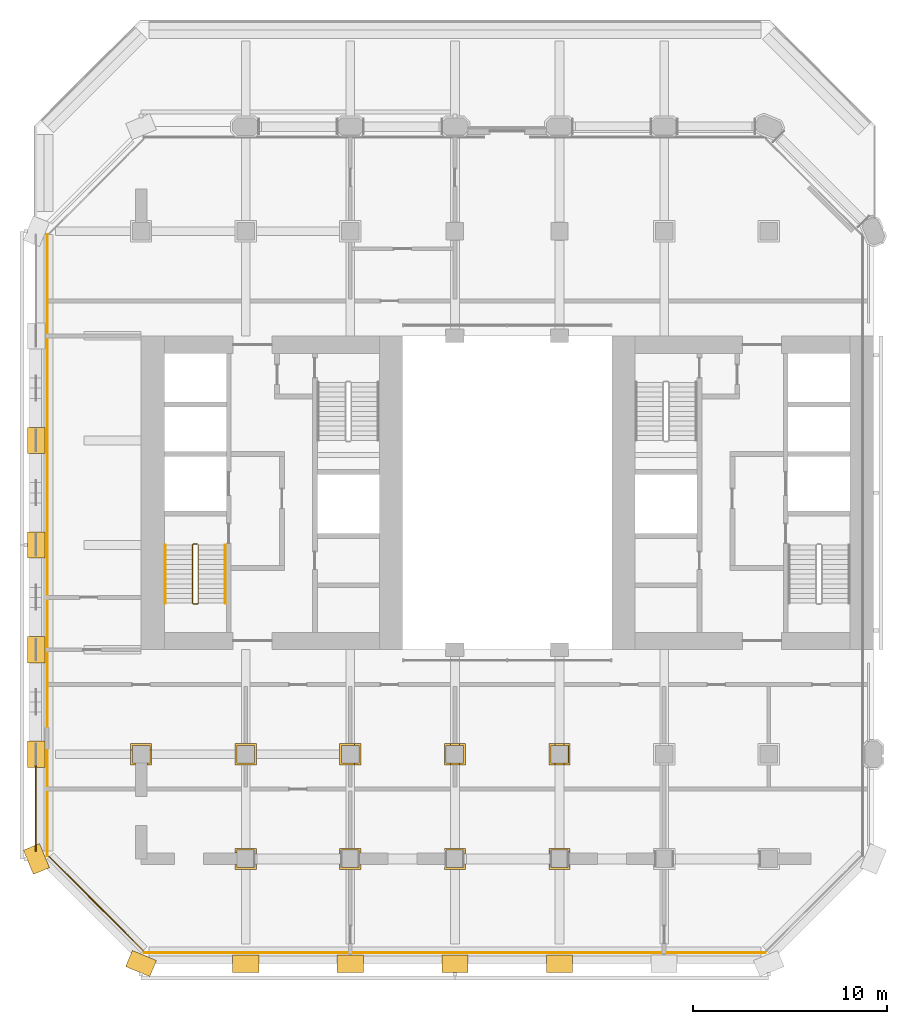
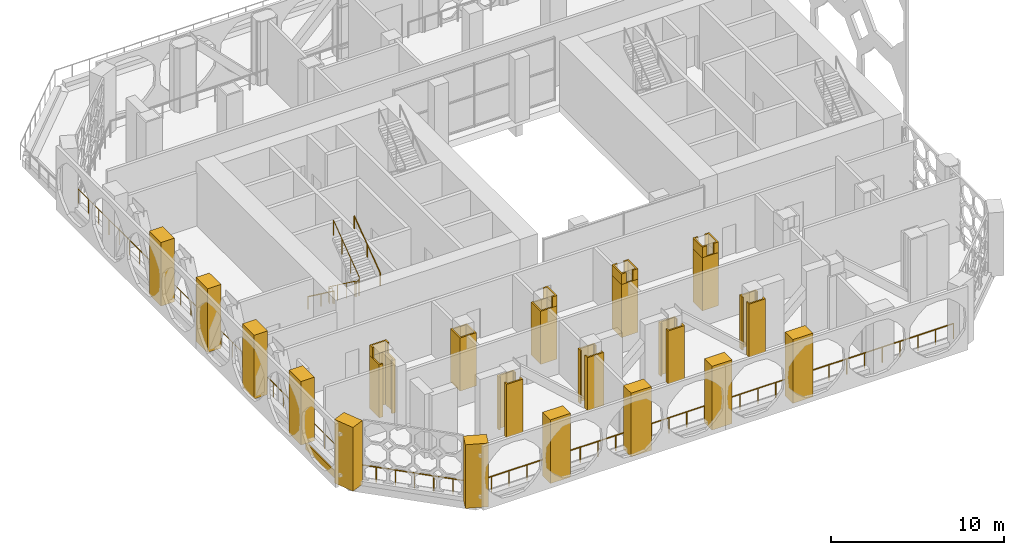
# One storey, part 14 of 17: 30 coverings, 6 railings.
"""IFC4 building model written with IfcOpenShell, lengths in metres."""

from ifc_helpers import new_model, si_unit, direction, frame, frame_2d, origin, origin_2d, place, context, subcontext, project, spatial, polyline, rectangle, circle, outline, extrude, material, layer, layer_set, type_object, element, save


model = new_model("IFC4")

# Units and contexts
model_context = context("Model", 3, precision=1e-05, world=origin(), true_north=direction((0.0, 1.0)))
body_context = subcontext(model_context, "Body", "Model", "MODEL_VIEW")
ifc_project = project(units=[si_unit("LENGTHUNIT", "METRE"), si_unit("AREAUNIT", "SQUARE_METRE"), si_unit("VOLUMEUNIT", "CUBIC_METRE"), si_unit("PLANEANGLEUNIT", "RADIAN"), si_unit("MASSUNIT", "GRAM", prefix="KILO")], contexts=[model_context])

# Site, building, storey
site_placement = place(None, origin())
site = spatial("IfcSite", under=ifc_project, at=site_placement, CompositionType="ELEMENT")
building_placement = place(site_placement, origin())
building = spatial("IfcBuilding", under=site, at=building_placement, Name="Tabaq Tower and Sports Hall", CompositionType="ELEMENT")
storey_placement = place(building_placement, frame((0.0, 0.0, 125.800048828125)))
storey = spatial("IfcBuildingStorey", under=building, at=storey_placement, Name="L30", CompositionType="ELEMENT", Elevation=125.800048828125)

# Coverings
ifc_material_1 = material(Name="Precast concrete C60/75", Category="concrete")
ifc_layer_1 = layer(ifc_material_1, 0.10009765625)
ifc_layer_set_1 = layer_set([ifc_layer_1], Name="Column cladding 100")
covering_type_1 = type_object("IfcCoveringType", Name="Column cladding 100", PredefinedType="CLADDING", material=ifc_layer_set_1)
covering_1_placement = place(storey_placement, origin())
element("IfcCovering", 1, at=covering_1_placement, inside=storey, type_object=covering_type_1, Name="Column cladding L30 CC-2C-S1", PredefinedType="CLADDING", context=body_context, shape_type="SweptSolid", body=[
    extrude(outline(polyline([(5.099609375, 10.349609375), (5.099609375, 10.250244140625), (4.850341796875, 10.250244140625), (4.850341796875, 11.349609375), (5.94970703125, 11.349609375), (5.94970703125, 10.250244140625), (5.7001953125, 10.250244140625), (5.7001953125, 10.349609375), (5.850341796875, 10.349609375), (5.850341796875, 11.250244140625), (4.94970703125, 11.250244140625), (4.94970703125, 10.349609375), (5.099609375, 10.349609375)])), origin(), (0.0, 0.0, 1.0), 3.75),
])
covering_2_placement = place(storey_placement, frame((0.0, 0.0, 3.75)))
element("IfcCovering", 2, at=covering_2_placement, inside=storey, type_object=covering_type_1, Name="Column cladding L30 CC-2C-S1 head", PredefinedType="CLADDING", context=body_context, shape_type="SweptSolid", body=[
    extrude(outline(polyline([(5.94970703125, 11.025390625), (5.850341796875, 11.025390625), (5.850341796875, 11.250244140625), (4.94970703125, 11.250244140625), (4.94970703125, 11.025390625), (4.850341796875, 11.025390625), (4.850341796875, 11.349609375), (5.94970703125, 11.349609375), (5.94970703125, 11.025390625)])), origin(), (0.0, 0.0, 1.0), 0.75),
])
covering_3_placement = place(storey_placement, origin())
element("IfcCovering", 3, at=covering_3_placement, inside=storey, type_object=covering_type_1, Name="Column cladding L30 CC-3B-S1", PredefinedType="CLADDING", context=body_context, shape_type="SweptSolid", body=[
    extrude(outline(polyline([(10.349365234375, 5.099365234375), (10.349365234375, 4.949462890625), (11.25048828125, 4.949462890625), (11.25048828125, 4.99951171875), (11.265625, 4.99951171875), (11.265625, 5.1494140625), (11.349365234375, 5.1494140625), (11.349365234375, 4.8505859375), (10.25048828125, 4.8505859375), (10.25048828125, 5.099365234375), (10.349365234375, 5.099365234375)])), origin(), (0.0, 0.0, 1.0), 3.75),
])
covering_4_placement = place(storey_placement, origin())
element("IfcCovering", 4, at=covering_4_placement, inside=storey, type_object=covering_type_1, Name="Column cladding L30 CC-3B-S1 2", PredefinedType="CLADDING", context=body_context, shape_type="SweptSolid", body=[
    extrude(outline(polyline([(10.349365234375, 5.70068359375), (10.25048828125, 5.70068359375), (10.25048828125, 5.949462890625), (11.349365234375, 5.949462890625), (11.349365234375, 5.650634765625), (11.265625, 5.650634765625), (11.265625, 5.800537109375), (11.25048828125, 5.800537109375), (11.25048828125, 5.8505859375), (10.349365234375, 5.8505859375), (10.349365234375, 5.70068359375)])), origin(), (0.0, 0.0, 1.0), 3.75),
])
covering_5_placement = place(storey_placement, origin())
element("IfcCovering", 5, at=covering_5_placement, inside=storey, type_object=covering_type_1, Name="Column cladding L30 CC-3C-S1", PredefinedType="CLADDING", context=body_context, shape_type="SweptSolid", body=[
    extrude(outline(polyline([(10.250244140625, 11.349609375), (11.349609375, 11.349609375), (11.349609375, 10.250244140625), (10.250244140625, 10.250244140625), (10.250244140625, 11.349609375)]), holes=[polyline([(11.250244140625, 10.349609375), (11.250244140625, 11.250244140625), (10.349609375, 11.250244140625), (10.349609375, 10.349609375), (11.250244140625, 10.349609375)])]), origin(), (0.0, 0.0, 1.0), 3.75),
])
covering_6_placement = place(storey_placement, origin())
element("IfcCovering", 6, at=covering_6_placement, inside=storey, type_object=covering_type_1, Name="Column cladding L30 CC-4B-S1", PredefinedType="CLADDING", context=body_context, shape_type="SweptSolid", body=[
    extrude(outline(polyline([(16.749755859375, 4.850341796875), (15.650390625, 4.850341796875), (15.650390625, 5.149658203125), (15.734619140625, 5.149658203125), (15.734619140625, 4.999755859375), (15.749755859375, 4.999755859375), (15.749755859375, 4.94970703125), (16.650390625, 4.94970703125), (16.650390625, 4.999755859375), (16.665283203125, 4.999755859375), (16.665283203125, 5.099609375), (16.749755859375, 5.099609375), (16.749755859375, 4.850341796875)])), origin(), (0.0, 0.0, 1.0), 3.75),
])
covering_7_placement = place(storey_placement, origin())
element("IfcCovering", 7, at=covering_7_placement, inside=storey, type_object=covering_type_1, Name="Column cladding L30 CC-4B-S1 2", PredefinedType="CLADDING", context=body_context, shape_type="SweptSolid", body=[
    extrude(outline(polyline([(16.749755859375, 5.94970703125), (16.749755859375, 5.7001953125), (16.665283203125, 5.7001953125), (16.665283203125, 5.80029296875), (16.650390625, 5.80029296875), (16.650390625, 5.850341796875), (15.749755859375, 5.850341796875), (15.749755859375, 5.80029296875), (15.734619140625, 5.80029296875), (15.734619140625, 5.650390625), (15.650390625, 5.650390625), (15.650390625, 5.94970703125), (16.749755859375, 5.94970703125)])), origin(), (0.0, 0.0, 1.0), 3.75),
])
covering_8_placement = place(storey_placement, origin())
element("IfcCovering", 8, at=covering_8_placement, inside=storey, type_object=covering_type_1, Name="Column cladding L30 CC-4C-S1", PredefinedType="CLADDING", context=body_context, shape_type="SweptSolid", body=[
    extrude(outline(polyline([(15.650390625, 11.349609375), (16.749755859375, 11.349609375), (16.749755859375, 10.250244140625), (15.650390625, 10.250244140625), (15.650390625, 11.349609375)]), holes=[polyline([(16.650390625, 10.349609375), (16.650390625, 11.250244140625), (15.749755859375, 11.250244140625), (15.749755859375, 10.349609375), (16.650390625, 10.349609375)])]), origin(), (0.0, 0.0, 1.0), 3.75),
])
covering_9_placement = place(storey_placement, frame((0.0, 0.0, 3.75)))
element("IfcCovering", 9, at=covering_9_placement, inside=storey, type_object=covering_type_1, Name="Column cladding L30 CC-4C-S1 head", PredefinedType="CLADDING", context=body_context, shape_type="SweptSolid", body=[
    extrude(outline(polyline([(16.425537109375, 10.349365234375), (16.650634765625, 10.349365234375), (16.650634765625, 11.25048828125), (16.425537109375, 11.25048828125), (16.425537109375, 11.349365234375), (16.74951171875, 11.349365234375), (16.74951171875, 10.25048828125), (16.425537109375, 10.25048828125), (16.425537109375, 10.349365234375)])), origin(), (0.0, 0.0, 1.0), 0.75),
])
covering_10_placement = place(storey_placement, origin())
element("IfcCovering", 10, at=covering_10_placement, inside=storey, type_object=covering_type_1, Name="Column cladding L30 CC-5B-S1", PredefinedType="CLADDING", context=body_context, shape_type="SweptSolid", body=[
    extrude(outline(polyline([(22.149658203125, 4.850341796875), (21.05029296875, 4.850341796875), (21.05029296875, 5.099609375), (21.134765625, 5.099609375), (21.134765625, 4.999755859375), (21.149658203125, 4.999755859375), (21.149658203125, 4.94970703125), (22.05029296875, 4.94970703125), (22.05029296875, 4.999755859375), (22.065185546875, 4.999755859375), (22.065185546875, 5.149658203125), (22.149658203125, 5.149658203125), (22.149658203125, 4.850341796875)])), origin(), (0.0, 0.0, 1.0), 3.75),
])
covering_11_placement = place(storey_placement, origin())
element("IfcCovering", 11, at=covering_11_placement, inside=storey, type_object=covering_type_1, Name="Column cladding L30 CC-5B-S1 2", PredefinedType="CLADDING", context=body_context, shape_type="SweptSolid", body=[
    extrude(outline(polyline([(22.149658203125, 5.94970703125), (22.149658203125, 5.650390625), (22.065185546875, 5.650390625), (22.065185546875, 5.80029296875), (22.05029296875, 5.80029296875), (22.05029296875, 5.850341796875), (21.149658203125, 5.850341796875), (21.149658203125, 5.80029296875), (21.134765625, 5.80029296875), (21.134765625, 5.7001953125), (21.05029296875, 5.7001953125), (21.05029296875, 5.94970703125), (22.149658203125, 5.94970703125)])), origin(), (0.0, 0.0, 1.0), 3.75),
])
covering_12_placement = place(storey_placement, origin())
element("IfcCovering", 12, at=covering_12_placement, inside=storey, type_object=covering_type_1, Name="Column cladding L30 CC-5C-S1", PredefinedType="CLADDING", context=body_context, shape_type="SweptSolid", body=[
    extrude(outline(polyline([(21.05029296875, 11.349609375), (22.149658203125, 11.349609375), (22.149658203125, 10.250244140625), (21.05029296875, 10.250244140625), (21.05029296875, 11.349609375)]), holes=[polyline([(22.05029296875, 10.349609375), (22.05029296875, 11.250244140625), (21.149658203125, 11.250244140625), (21.149658203125, 10.349609375), (22.05029296875, 10.349609375)])]), origin(), (0.0, 0.0, 1.0), 3.75),
])
covering_13_placement = place(storey_placement, frame((0.0, 0.0, 3.75)))
element("IfcCovering", 13, at=covering_13_placement, inside=storey, type_object=covering_type_1, Name="Column cladding L30 CC-5C-S1 head", PredefinedType="CLADDING", context=body_context, shape_type="SweptSolid", body=[
    extrude(outline(polyline([(21.82568359375, 10.349365234375), (22.050537109375, 10.349365234375), (22.050537109375, 11.25048828125), (21.82568359375, 11.25048828125), (21.82568359375, 11.349365234375), (22.1494140625, 11.349365234375), (22.1494140625, 10.25048828125), (21.82568359375, 10.25048828125), (21.82568359375, 10.349365234375)])), origin(), (0.0, 0.0, 1.0), 0.75),
])
covering_14_placement = place(storey_placement, frame((0.0, 0.0, 3.75)))
element("IfcCovering", 14, at=covering_14_placement, inside=storey, type_object=covering_type_1, Name="Column cladding L30 CC-5C-S1 head 2", PredefinedType="CLADDING", context=body_context, shape_type="SweptSolid", body=[
    extrude(outline(polyline([(21.37451171875, 10.349365234375), (21.37451171875, 10.25048828125), (21.050537109375, 10.25048828125), (21.050537109375, 11.349365234375), (21.37451171875, 11.349365234375), (21.37451171875, 11.25048828125), (21.1494140625, 11.25048828125), (21.1494140625, 10.349365234375), (21.37451171875, 10.349365234375)])), origin(), (0.0, 0.0, 1.0), 0.75),
])
covering_15_placement = place(storey_placement, origin())
element("IfcCovering", 15, at=covering_15_placement, inside=storey, type_object=covering_type_1, Name="Column cladding L30 CC-6B-S1", PredefinedType="CLADDING", context=body_context, shape_type="SweptSolid", body=[
    extrude(outline(polyline([(27.5498046875, 4.850341796875), (26.4501953125, 4.850341796875), (26.4501953125, 5.149658203125), (26.53466796875, 5.149658203125), (26.53466796875, 4.999755859375), (26.5498046875, 4.999755859375), (26.5498046875, 4.94970703125), (27.4501953125, 4.94970703125), (27.4501953125, 4.999755859375), (27.46533203125, 4.999755859375), (27.46533203125, 5.099609375), (27.5498046875, 5.099609375), (27.5498046875, 4.850341796875)])), origin(), (0.0, 0.0, 1.0), 3.75),
])
covering_16_placement = place(storey_placement, origin())
element("IfcCovering", 16, at=covering_16_placement, inside=storey, type_object=covering_type_1, Name="Column cladding L30 CC-6B-S1 2", PredefinedType="CLADDING", context=body_context, shape_type="SweptSolid", body=[
    extrude(outline(polyline([(27.5498046875, 5.94970703125), (27.5498046875, 5.7001953125), (27.46533203125, 5.7001953125), (27.46533203125, 5.80029296875), (27.4501953125, 5.80029296875), (27.4501953125, 5.850341796875), (26.5498046875, 5.850341796875), (26.5498046875, 5.80029296875), (26.53466796875, 5.80029296875), (26.53466796875, 5.650390625), (26.4501953125, 5.650390625), (26.4501953125, 5.94970703125), (27.5498046875, 5.94970703125)])), origin(), (0.0, 0.0, 1.0), 3.75),
])
covering_17_placement = place(storey_placement, origin())
element("IfcCovering", 17, at=covering_17_placement, inside=storey, type_object=covering_type_1, Name="Column cladding L30 CC-6C-S1", PredefinedType="CLADDING", context=body_context, shape_type="SweptSolid", body=[
    extrude(outline(polyline([(26.4501953125, 11.349609375), (27.5498046875, 11.349609375), (27.5498046875, 10.250244140625), (26.4501953125, 10.250244140625), (26.4501953125, 11.349609375)]), holes=[polyline([(27.4501953125, 10.349609375), (27.4501953125, 11.250244140625), (26.5498046875, 11.250244140625), (26.5498046875, 10.349609375), (27.4501953125, 10.349609375)])]), origin(), (0.0, 0.0, 1.0), 3.75),
])
covering_18_placement = place(storey_placement, frame((0.0, 0.0, 3.75)))
element("IfcCovering", 18, at=covering_18_placement, inside=storey, type_object=covering_type_1, Name="Column cladding L30 CC-6C-S1 head", PredefinedType="CLADDING", context=body_context, shape_type="SweptSolid", body=[
    extrude(outline(polyline([(27.2255859375, 10.349365234375), (27.45068359375, 10.349365234375), (27.45068359375, 11.25048828125), (27.2255859375, 11.25048828125), (27.2255859375, 11.349365234375), (27.54931640625, 11.349365234375), (27.54931640625, 10.25048828125), (27.2255859375, 10.25048828125), (27.2255859375, 10.349365234375)])), origin(), (0.0, 0.0, 1.0), 0.75),
])
covering_19_placement = place(storey_placement, frame((0.0, 0.0, 3.75)))
element("IfcCovering", 19, at=covering_19_placement, inside=storey, type_object=covering_type_1, Name="Column cladding L30 CC-6C-S1 head 2", PredefinedType="CLADDING", context=body_context, shape_type="SweptSolid", body=[
    extrude(outline(polyline([(26.7744140625, 10.349365234375), (26.7744140625, 10.25048828125), (26.45068359375, 10.25048828125), (26.45068359375, 11.349365234375), (26.7744140625, 11.349365234375), (26.7744140625, 11.25048828125), (26.54931640625, 11.25048828125), (26.54931640625, 10.349365234375), (26.7744140625, 10.349365234375)])), origin(), (0.0, 0.0, 1.0), 0.75),
])
ifc_material_2 = material(Name="Precast concrete C60/75", Category="concrete")
ifc_layer_2 = layer(ifc_material_2, 0.06005859375)
ifc_layer_set_2 = layer_set([ifc_layer_2], Name="Edge beam cladding 60")
covering_type_2 = type_object("IfcCoveringType", Name="Edge beam cladding 60", PredefinedType="CLADDING", material=ifc_layer_set_2)
covering_20_placement = place(storey_placement, frame((-0.030029296875, 10.239990234375, -0.5), z_axis=(0.0, 0.0, 1.0), x_axis=(0.0, -1.0, 0.0)))
element("IfcCovering", 20, at=covering_20_placement, inside=storey, type_object=covering_type_2, Name="Edge beam cladding L30 1 2", PredefinedType="CLADDING", context=body_context, shape_type="SweptSolid", body=[
    extrude(rectangle(XDim=4.43798828125, YDim=0.06005859375, at=frame_2d((2.218994140625, 0.0))), origin(), (0.0, 0.0, 1.0), 0.5),
])

# Railings
ifc_material_3 = material(Name="Stainless steel S316 and laminated glass", Category="steel")
railing_type_1 = type_object("IfcRailingType", Name="Guard 1100 steel and glass", PredefinedType="GUARDRAIL", material=ifc_material_3)
railing_1_placement = place(storey_placement, frame((5.565673828125, 0.550048828125, 0.0)))
element("IfcRailing", 21, at=railing_1_placement, inside=storey, type_object=railing_type_1, Name="Guard L30 S", PredefinedType="GUARDRAIL", context=body_context, shape_type="SweptSolid", body=[
    extrude(circle(Radius=0.02490234375, at=origin_2d()), frame((0.0, 0.0, 1.0751953125), z_axis=(1.0, 0.0, 0.0), x_axis=(0.0, 1.0, 0.0)), (0.0, 0.0, 1.0), 32.068603515625),
    extrude(circle(Radius=0.02001953125, at=origin_2d()), origin(), (0.0, 0.0, 1.0), 1.050048828125),
    extrude(circle(Radius=0.02001953125, at=origin_2d()), frame((1.187744140625, 0.0, 0.0)), (0.0, 0.0, 1.0), 1.050048828125),
    extrude(circle(Radius=0.02001953125, at=origin_2d()), frame((2.37548828125, 0.0, 0.0)), (0.0, 0.0, 1.0), 1.050048828125),
    extrude(circle(Radius=0.02001953125, at=origin_2d()), frame((3.563232421875, 0.0, 0.0)), (0.0, 0.0, 1.0), 1.050048828125),
    extrude(circle(Radius=0.02001953125, at=origin_2d()), frame((4.7509765625, 0.0, 0.0)), (0.0, 0.0, 1.0), 1.050048828125),
    extrude(circle(Radius=0.02001953125, at=origin_2d()), frame((5.938720703125, 0.0, 0.0)), (0.0, 0.0, 1.0), 1.050048828125),
    extrude(circle(Radius=0.02001953125, at=origin_2d()), frame((7.12646484375, 0.0, 0.0)), (0.0, 0.0, 1.0), 1.050048828125),
    extrude(circle(Radius=0.02001953125, at=origin_2d()), frame((8.31396484375, 0.0, 0.0)), (0.0, 0.0, 1.0), 1.050048828125),
    extrude(circle(Radius=0.02001953125, at=origin_2d()), frame((9.501708984375, 0.0, 0.0)), (0.0, 0.0, 1.0), 1.050048828125),
    extrude(circle(Radius=0.02001953125, at=origin_2d()), frame((10.689453125, 0.0, 0.0)), (0.0, 0.0, 1.0), 1.050048828125),
    extrude(circle(Radius=0.02001953125, at=origin_2d()), frame((11.877197265625, 0.0, 0.0)), (0.0, 0.0, 1.0), 1.050048828125),
    extrude(circle(Radius=0.02001953125, at=origin_2d()), frame((13.06494140625, 0.0, 0.0)), (0.0, 0.0, 1.0), 1.050048828125),
    extrude(circle(Radius=0.02001953125, at=origin_2d()), frame((14.252685546875, 0.0, 0.0)), (0.0, 0.0, 1.0), 1.050048828125),
    extrude(circle(Radius=0.02001953125, at=origin_2d()), frame((15.4404296875, 0.0, 0.0)), (0.0, 0.0, 1.0), 1.050048828125),
    extrude(circle(Radius=0.02001953125, at=origin_2d()), frame((16.628173828125, 0.0, 0.0)), (0.0, 0.0, 1.0), 1.050048828125),
    extrude(circle(Radius=0.02001953125, at=origin_2d()), frame((17.81591796875, 0.0, 0.0)), (0.0, 0.0, 1.0), 1.050048828125),
    extrude(circle(Radius=0.02001953125, at=origin_2d()), frame((19.003662109375, 0.0, 0.0)), (0.0, 0.0, 1.0), 1.050048828125),
    extrude(circle(Radius=0.02001953125, at=origin_2d()), frame((20.19140625, 0.0, 0.0)), (0.0, 0.0, 1.0), 1.050048828125),
    extrude(circle(Radius=0.02001953125, at=origin_2d()), frame((21.379150390625, 0.0, 0.0)), (0.0, 0.0, 1.0), 1.050048828125),
    extrude(circle(Radius=0.02001953125, at=origin_2d()), frame((22.56689453125, 0.0, 0.0)), (0.0, 0.0, 1.0), 1.050048828125),
    extrude(circle(Radius=0.02001953125, at=origin_2d()), frame((23.754638671875, 0.0, 0.0)), (0.0, 0.0, 1.0), 1.050048828125),
    extrude(circle(Radius=0.02001953125, at=origin_2d()), frame((24.942138671875, 0.0, 0.0)), (0.0, 0.0, 1.0), 1.050048828125),
    extrude(circle(Radius=0.02001953125, at=origin_2d()), frame((26.1298828125, 0.0, 0.0)), (0.0, 0.0, 1.0), 1.050048828125),
    extrude(circle(Radius=0.02001953125, at=origin_2d()), frame((27.317626953125, 0.0, 0.0)), (0.0, 0.0, 1.0), 1.050048828125),
    extrude(circle(Radius=0.02001953125, at=origin_2d()), frame((28.50537109375, 0.0, 0.0)), (0.0, 0.0, 1.0), 1.050048828125),
    extrude(circle(Radius=0.02001953125, at=origin_2d()), frame((29.693115234375, 0.0, 0.0)), (0.0, 0.0, 1.0), 1.050048828125),
    extrude(circle(Radius=0.02001953125, at=origin_2d()), frame((30.880859375, 0.0, 0.0)), (0.0, 0.0, 1.0), 1.050048828125),
    extrude(circle(Radius=0.02001953125, at=origin_2d()), frame((32.068603515625, 0.0, 0.0)), (0.0, 0.0, 1.0), 1.050048828125),
])
railing_2_placement = place(storey_placement, frame((0.550048828125, 37.63427734375, 0.0)))
element("IfcRailing", 22, at=railing_2_placement, inside=storey, type_object=railing_type_1, Name="Guard L30 W", PredefinedType="GUARDRAIL", context=body_context, shape_type="SweptSolid", body=[
    extrude(circle(Radius=0.02490234375, at=origin_2d()), frame((0.0, 0.0, 1.0751953125), z_axis=(0.0, -1.0, 0.0), x_axis=(1.0, 0.0, 0.0)), (0.0, 0.0, 1.0), 32.068603515625),
    extrude(circle(Radius=0.02001953125, at=origin_2d()), origin(), (0.0, 0.0, 1.0), 1.050048828125),
    extrude(circle(Radius=0.02001953125, at=origin_2d()), frame((0.0, -1.187744140625, 0.0)), (0.0, 0.0, 1.0), 1.050048828125),
    extrude(circle(Radius=0.02001953125, at=origin_2d()), frame((0.0, -2.37548828125, 0.0)), (0.0, 0.0, 1.0), 1.050048828125),
    extrude(circle(Radius=0.02001953125, at=origin_2d()), frame((0.0, -3.563232421875, 0.0)), (0.0, 0.0, 1.0), 1.050048828125),
    extrude(circle(Radius=0.02001953125, at=origin_2d()), frame((0.0, -4.7509765625, 0.0)), (0.0, 0.0, 1.0), 1.050048828125),
    extrude(circle(Radius=0.02001953125, at=origin_2d()), frame((0.0, -5.938720703125, 0.0)), (0.0, 0.0, 1.0), 1.050048828125),
    extrude(circle(Radius=0.02001953125, at=origin_2d()), frame((0.0, -7.12646484375, 0.0)), (0.0, 0.0, 1.0), 1.050048828125),
    extrude(circle(Radius=0.02001953125, at=origin_2d()), frame((0.0, -8.31396484375, 0.0)), (0.0, 0.0, 1.0), 1.050048828125),
    extrude(circle(Radius=0.02001953125, at=origin_2d()), frame((0.0, -9.501708984375, 0.0)), (0.0, 0.0, 1.0), 1.050048828125),
    extrude(circle(Radius=0.02001953125, at=origin_2d()), frame((0.0, -10.689453125, 0.0)), (0.0, 0.0, 1.0), 1.050048828125),
    extrude(circle(Radius=0.02001953125, at=origin_2d()), frame((0.0, -11.877197265625, 0.0)), (0.0, 0.0, 1.0), 1.050048828125),
    extrude(circle(Radius=0.02001953125, at=origin_2d()), frame((0.0, -13.06494140625, 0.0)), (0.0, 0.0, 1.0), 1.050048828125),
    extrude(circle(Radius=0.02001953125, at=origin_2d()), frame((0.0, -14.252685546875, 0.0)), (0.0, 0.0, 1.0), 1.050048828125),
    extrude(circle(Radius=0.02001953125, at=origin_2d()), frame((0.0, -15.4404296875, 0.0)), (0.0, 0.0, 1.0), 1.050048828125),
    extrude(circle(Radius=0.02001953125, at=origin_2d()), frame((0.0, -16.628173828125, 0.0)), (0.0, 0.0, 1.0), 1.050048828125),
    extrude(circle(Radius=0.02001953125, at=origin_2d()), frame((0.0, -17.81591796875, 0.0)), (0.0, 0.0, 1.0), 1.050048828125),
    extrude(circle(Radius=0.02001953125, at=origin_2d()), frame((0.0, -19.003662109375, 0.0)), (0.0, 0.0, 1.0), 1.050048828125),
    extrude(circle(Radius=0.02001953125, at=origin_2d()), frame((0.0, -20.19140625, 0.0)), (0.0, 0.0, 1.0), 1.050048828125),
    extrude(circle(Radius=0.02001953125, at=origin_2d()), frame((0.0, -21.379150390625, 0.0)), (0.0, 0.0, 1.0), 1.050048828125),
    extrude(circle(Radius=0.02001953125, at=origin_2d()), frame((0.0, -22.56689453125, 0.0)), (0.0, 0.0, 1.0), 1.050048828125),
    extrude(circle(Radius=0.02001953125, at=origin_2d()), frame((0.0, -23.754638671875, 0.0)), (0.0, 0.0, 1.0), 1.050048828125),
    extrude(circle(Radius=0.02001953125, at=origin_2d()), frame((0.0, -24.942138671875, 0.0)), (0.0, 0.0, 1.0), 1.050048828125),
    extrude(circle(Radius=0.02001953125, at=origin_2d()), frame((0.0, -26.1298828125, 0.0)), (0.0, 0.0, 1.0), 1.050048828125),
    extrude(circle(Radius=0.02001953125, at=origin_2d()), frame((0.0, -27.317626953125, 0.0)), (0.0, 0.0, 1.0), 1.050048828125),
    extrude(circle(Radius=0.02001953125, at=origin_2d()), frame((0.0, -28.50537109375, 0.0)), (0.0, 0.0, 1.0), 1.050048828125),
    extrude(circle(Radius=0.02001953125, at=origin_2d()), frame((0.0, -29.693115234375, 0.0)), (0.0, 0.0, 1.0), 1.050048828125),
    extrude(circle(Radius=0.02001953125, at=origin_2d()), frame((0.0, -30.880859375, 0.0)), (0.0, 0.0, 1.0), 1.050048828125),
    extrude(circle(Radius=0.02001953125, at=origin_2d()), frame((0.0, -32.068603515625, 0.0)), (0.0, 0.0, 1.0), 1.050048828125),
])
railing_3_placement = place(storey_placement, frame((0.64892578125, 5.52880859375, 0.0)))
element("IfcRailing", 23, at=railing_3_placement, inside=storey, type_object=railing_type_1, Name="Guard L30 SW", PredefinedType="GUARDRAIL", context=body_context, shape_type="SweptSolid", body=[
    extrude(circle(Radius=0.02490234375, at=origin_2d()), frame((0.0, 0.0, 1.0751953125), z_axis=(0.707106781187, -0.707106781187, 0.0), x_axis=(0.707106781187, 0.707106781187, 0.0)), (0.0, 0.0, 1.0), 6.901123046875),
    extrude(circle(Radius=0.02001953125, at=origin_2d()), origin(), (0.0, 0.0, 1.0), 1.050048828125),
    extrude(circle(Radius=0.02001953125, at=origin_2d()), frame((0.813232421875, -0.813232421875, 0.0)), (0.0, 0.0, 1.0), 1.050048828125),
    extrude(circle(Radius=0.02001953125, at=origin_2d()), frame((1.626708984375, -1.626708984375, 0.0)), (0.0, 0.0, 1.0), 1.050048828125),
    extrude(circle(Radius=0.02001953125, at=origin_2d()), frame((2.43994140625, -2.43994140625, 0.0)), (0.0, 0.0, 1.0), 1.050048828125),
    extrude(circle(Radius=0.02001953125, at=origin_2d()), frame((3.253173828125, -3.253173828125, 0.0)), (0.0, 0.0, 1.0), 1.050048828125),
    extrude(circle(Radius=0.02001953125, at=origin_2d()), frame((4.066650390625, -4.066650390625, 0.0)), (0.0, 0.0, 1.0), 1.050048828125),
    extrude(circle(Radius=0.02001953125, at=origin_2d()), frame((4.8798828125, -4.8798828125, 0.0)), (0.0, 0.0, 1.0), 1.050048828125),
])

# Coverings
ifc_material_4 = material(Name="White precast concrete C60/75", Category="concrete")
covering_type_3 = type_object("IfcCoveringType", Name="Pier cladding hung 1350x900", PredefinedType="CLADDING", material=ifc_material_4)
for number, where, z_axis, x_axis, name in (
    (24, (-0.25830078125, 6.023681640625, 0.0), (0.0, 0.0, 1.0), (0.382649923473, -0.923893411637, 0.0), "Hung pier cladding 0/1"),
    (25, (0.0, 11.47509765625, 0.0), (0.0, 0.0, 1.0), (0.0, -1.0, 0.0), "Hung pier cladding 0/2"),
    (26, (0.0, 16.875, 0.0), (0.0, 0.0, 1.0), (0.0, -1.0, 0.0), "Hung pier cladding 0/3"),
):
    element("IfcCovering", number, at=place(storey_placement, frame(where, z_axis=z_axis, x_axis=x_axis)), inside=storey, type_object=covering_type_3, Name=name, PredefinedType="CLADDING", context=body_context, shape_type="SweptSolid", body=[
        extrude(rectangle(XDim=1.35009765625, YDim=0.89990234375, at=frame_2d((0.675048828125, 0.0))), origin(), (0.0, 0.0, 1.0), 4.5),
    ])
covering_21_placement = place(storey_placement, frame((0.0, 22.27490234375, 0.0), z_axis=(0.0, 0.0, 1.0), x_axis=(0.0, -1.0, 0.0)))
element("IfcCovering", 27, at=covering_21_placement, inside=storey, type_object=covering_type_3, Name="Hung pier cladding 0/4", PredefinedType="CLADDING", context=body_context, shape_type="SweptSolid", body=[
    extrude(rectangle(XDim=1.349853515625, YDim=0.89990234375, at=frame_2d((0.6748046875, 0.0))), origin(), (0.0, 0.0, 1.0), 4.5),
])
for number, where, z_axis, x_axis, name in (
    (28, (0.0, 27.675048828125, 0.0), (0.0, 0.0, 1.0), (0.0, -1.0, 0.0), "Hung pier cladding 0/5"),
    (29, (4.7763671875, 0.25830078125, 0.0), (0.0, 0.0, 1.0), (0.923893411637, -0.382649923473, 0.0), "Hung pier cladding 1/0"),
    (30, (10.125, 0.0, 0.0), (0.0, 0.0, 1.0), (1.0, 0.0, 0.0), "Hung pier cladding 2/0"),
    (31, (15.52490234375, 0.0, 0.0), (0.0, 0.0, 1.0), (1.0, 0.0, 0.0), "Hung pier cladding 3/0"),
):
    element("IfcCovering", number, at=place(storey_placement, frame(where, z_axis=z_axis, x_axis=x_axis)), inside=storey, type_object=covering_type_3, Name=name, PredefinedType="CLADDING", context=body_context, shape_type="SweptSolid", body=[
        extrude(rectangle(XDim=1.35009765625, YDim=0.89990234375, at=frame_2d((0.675048828125, 0.0))), origin(), (0.0, 0.0, 1.0), 4.5),
    ])
covering_22_placement = place(storey_placement, frame((20.925048828125, 0.0, 0.0), z_axis=(0.0, 0.0, 1.0), x_axis=(1.0, 0.0, 0.0)))
element("IfcCovering", 32, at=covering_22_placement, inside=storey, type_object=covering_type_3, Name="Hung pier cladding 4/0", PredefinedType="CLADDING", context=body_context, shape_type="SweptSolid", body=[
    extrude(rectangle(XDim=1.349853515625, YDim=0.89990234375, at=frame_2d((0.6748046875, 0.0))), origin(), (0.0, 0.0, 1.0), 4.5),
])
covering_23_placement = place(storey_placement, frame((26.324951171875, 0.0, 0.0), z_axis=(0.0, 0.0, 1.0), x_axis=(1.0, 0.0, 0.0)))
element("IfcCovering", 33, at=covering_23_placement, inside=storey, type_object=covering_type_3, Name="Hung pier cladding 5/0", PredefinedType="CLADDING", context=body_context, shape_type="SweptSolid", body=[
    extrude(rectangle(XDim=1.35009765625, YDim=0.89990234375, at=frame_2d((0.675048828125, 0.0))), origin(), (0.0, 0.0, 1.0), 4.5),
])

# Railings
ifc_material_5 = material(Name="Stainless steel", Category="steel")
railing_type_2 = type_object("IfcRailingType", Name="Stair guard", PredefinedType="GUARDRAIL", material=ifc_material_5)
railing_4_placement = place(storey_placement, frame((8.300048828125, 21.64990234375, 0.0)))
element("IfcRailing", 34, at=railing_4_placement, inside=storey, type_object=railing_type_2, Name="L30 ST1 stair guard 1", PredefinedType="GUARDRAIL", context=body_context, shape_type="SweptSolid", body=[
    extrude(circle(Radius=0.02392578125, at=origin_2d()), frame((0.0, 0.0, 1.076171875), z_axis=(-1.0, 0.0, 0.0), x_axis=(0.0, -1.0, 0.0)), (0.0, 0.0, 1.0), 0.199951171875),
    extrude(circle(Radius=0.02392578125, at=origin_2d()), frame((-0.199951171875, 0.0, 1.076171875), z_axis=(-0.253264628505, -0.252029191293, 0.933990532438), x_axis=(0.705375805398, -0.708833529934, 0.0)), (0.0, 0.0, 1.0), 0.197509765625),
    extrude(circle(Radius=0.02392578125, at=origin_2d()), frame((-0.25, -0.0498046875, 1.2607421875), z_axis=(0.0, -0.804440004972, 0.594033903411), x_axis=(1.0, 0.0, 0.0)), (0.0, 0.0, 1.0), 3.729248046875),
    extrude(circle(Radius=0.02392578125, at=origin_2d()), frame((-0.25, -3.0498046875, 3.47607421875), z_axis=(0.707106781187, -0.707106781187, 0.0), x_axis=(0.707106781187, 0.707106781187, 0.0)), (0.0, 0.0, 1.0), 0.07080078125),
    extrude(circle(Radius=0.02392578125, at=origin_2d()), frame((-0.199951171875, -3.099853515625, 3.47607421875), z_axis=(1.0, 0.0, 0.0), x_axis=(0.0, 1.0, 0.0)), (0.0, 0.0, 1.0), 0.199951171875),
    extrude(circle(Radius=0.02392578125, at=origin_2d()), frame((0.0, -3.099853515625, 3.47607421875), z_axis=(0.253185614162, 0.253185614162, 0.933699142959), x_axis=(-0.707106781187, 0.707106781187, 0.0)), (0.0, 0.0, 1.0), 0.19775390625),
    extrude(circle(Radius=0.02392578125, at=origin_2d()), frame((0.050048828125, -3.0498046875, 3.66064453125), z_axis=(0.0, 0.804408721428, 0.594076265214), x_axis=(-1.0, 0.0, 0.0)), (0.0, 0.0, 1.0), 3.7294921875),
    extrude(circle(Radius=0.02099609375, at=origin_2d()), origin(), (0.0, 0.0, 1.0), 1.052001953125),
    extrude(circle(Radius=0.02099609375, at=origin_2d()), frame((-0.199951171875, 0.0, 0.0)), (0.0, 0.0, 1.0), 1.052001953125),
    extrude(circle(Radius=0.02099609375, at=origin_2d()), frame((-0.25, -0.0498046875, 0.1845703125)), (0.0, 0.0, 1.0), 1.052001953125),
    extrude(circle(Radius=0.02099609375, at=origin_2d()), frame((-0.25, -1.0498046875, 0.923095703125)), (0.0, 0.0, 1.0), 1.052001953125),
    extrude(circle(Radius=0.02099609375, at=origin_2d()), frame((-0.25, -2.0498046875, 1.661376953125)), (0.0, 0.0, 1.0), 1.052001953125),
    extrude(circle(Radius=0.02099609375, at=origin_2d()), frame((-0.25, -3.0498046875, 2.39990234375)), (0.0, 0.0, 1.0), 1.052001953125),
    extrude(circle(Radius=0.02099609375, at=origin_2d()), frame((-0.199951171875, -3.099853515625, 2.39990234375)), (0.0, 0.0, 1.0), 1.052001953125),
    extrude(circle(Radius=0.02099609375, at=origin_2d()), frame((0.0, -3.099853515625, 2.39990234375)), (0.0, 0.0, 1.0), 1.052001953125),
    extrude(circle(Radius=0.02099609375, at=origin_2d()), frame((0.050048828125, -3.0498046875, 2.58447265625)), (0.0, 0.0, 1.0), 1.052001953125),
    extrude(circle(Radius=0.02099609375, at=origin_2d()), frame((0.050048828125, -2.0498046875, 3.322998046875)), (0.0, 0.0, 1.0), 1.052001953125),
    extrude(circle(Radius=0.02099609375, at=origin_2d()), frame((0.050048828125, -1.0498046875, 4.0615234375)), (0.0, 0.0, 1.0), 1.052001953125),
    extrude(circle(Radius=0.02099609375, at=origin_2d()), frame((0.050048828125, -0.0498046875, 4.800048828125)), (0.0, 0.0, 1.0), 1.052001953125),
])
ifc_material_6 = material(Name="Stainless steel", Category="steel")
railing_type_3 = type_object("IfcRailingType", Name="Stair handrail", PredefinedType="HANDRAIL", material=ifc_material_6)
railing_5_placement = place(storey_placement, frame((6.64990234375, 21.60009765625, 0.1845703125)))
element("IfcRailing", 35, at=railing_5_placement, inside=storey, type_object=railing_type_3, Name="L30 ST1 stair handrail 1", PredefinedType="HANDRAIL", context=body_context, shape_type="SweptSolid", body=[
    extrude(circle(Radius=0.02392578125, at=origin_2d()), frame((0.0, 0.0, 0.8759765625), z_axis=(0.0, -0.804440004972, 0.594033903411), x_axis=(1.0, 0.0, 0.0)), (0.0, 0.0, 1.0), 3.729248046875),
    extrude(circle(Radius=0.02099609375, at=origin_2d()), origin(), (0.0, 0.0, 1.0), 0.851806640625),
    extrude(circle(Radius=0.02099609375, at=origin_2d()), frame((0.0, -1.5, 1.107666015625)), (0.0, 0.0, 1.0), 0.851806640625),
    extrude(circle(Radius=0.02099609375, at=origin_2d()), frame((0.0, -3.0, 2.21533203125)), (0.0, 0.0, 1.0), 0.851806640625),
])
railing_6_placement = place(storey_placement, frame((9.75, 18.60009765625, 2.58447265625)))
element("IfcRailing", 36, at=railing_6_placement, inside=storey, type_object=railing_type_3, Name="L30 ST1 stair handrail 2", PredefinedType="HANDRAIL", context=body_context, shape_type="SweptSolid", body=[
    extrude(circle(Radius=0.02392578125, at=origin_2d()), frame((0.0, 0.0, 0.8759765625), z_axis=(0.0, 0.804408721428, 0.594076265214), x_axis=(-1.0, 0.0, 0.0)), (0.0, 0.0, 1.0), 3.7294921875),
    extrude(circle(Radius=0.02099609375, at=origin_2d()), origin(), (0.0, 0.0, 1.0), 0.851806640625),
    extrude(circle(Radius=0.02099609375, at=origin_2d()), frame((0.0, 1.5, 1.10791015625)), (0.0, 0.0, 1.0), 0.851806640625),
    extrude(circle(Radius=0.02099609375, at=origin_2d()), frame((0.0, 3.0, 2.215576171875)), (0.0, 0.0, 1.0), 0.851806640625),
])

save(model, "model.ifc")
